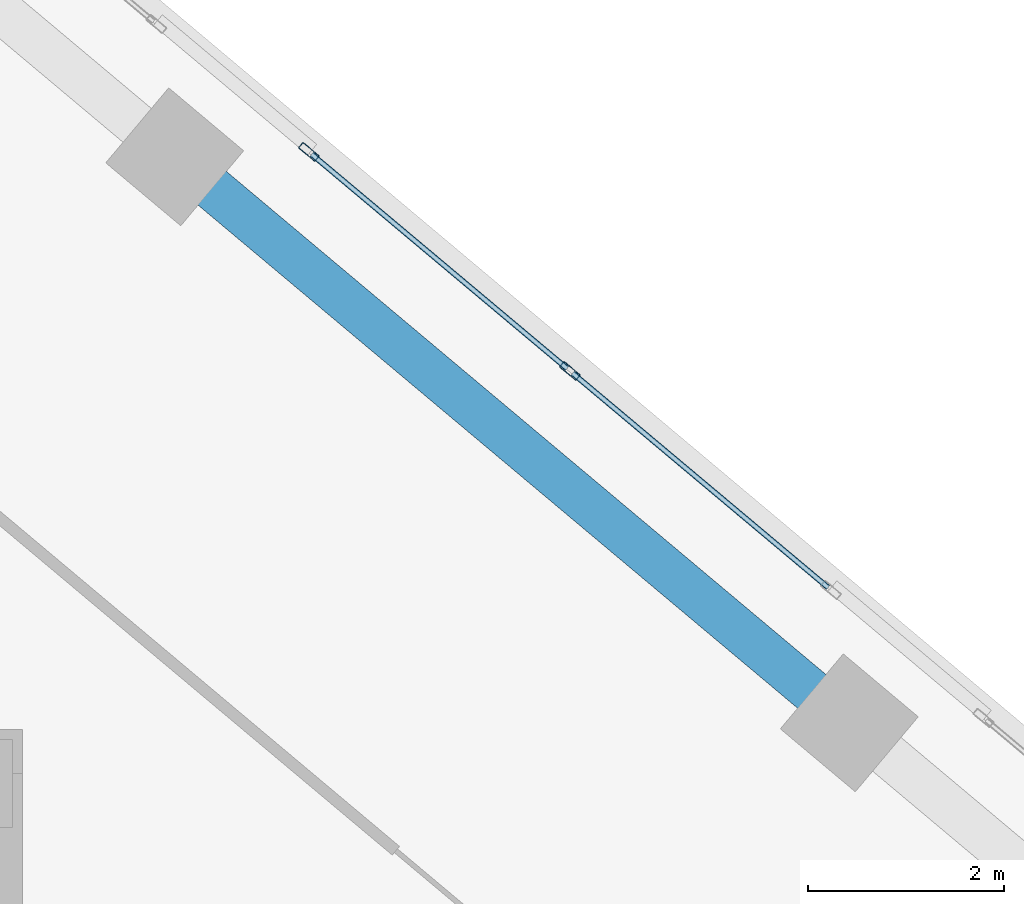
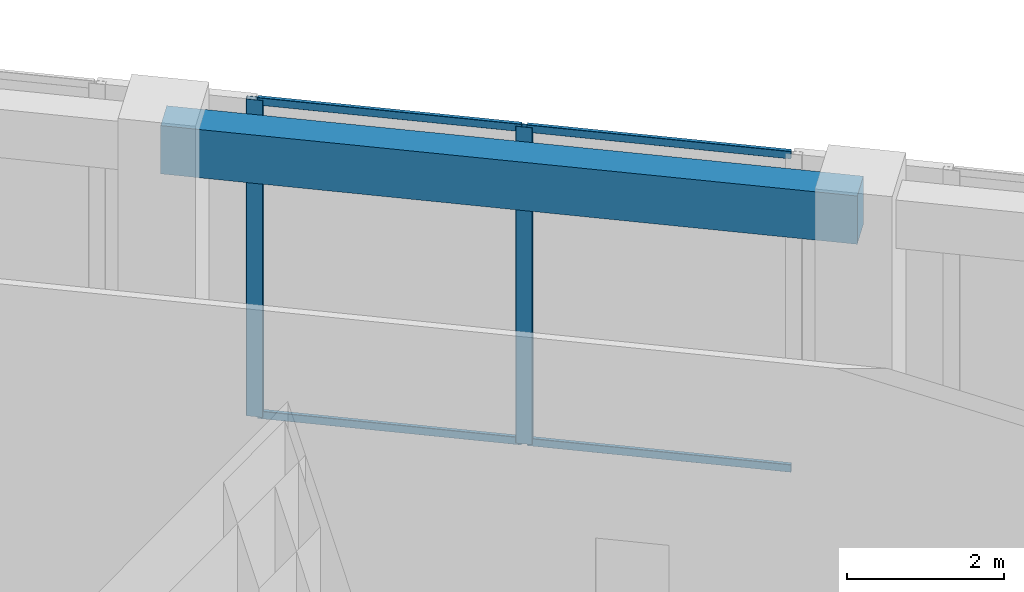
# One storey, part 10 of 17: 6 members, 1 beam, 1 element without a shape of its own.
"""IFC4 building model written with IfcOpenShell, lengths in metres."""

from ifc_helpers import new_model, si_unit, direction, frame, origin, origin_2d, place, context, subcontext, project, spatial, rectangle, hollow_rectangle, extrude, source, transform, mapped, material, material_profile, profile_set, type_object, element, aggregate, save


model = new_model("IFC4")

# Units and contexts
model_context = context("Model", 3, precision=1e-05, world=origin(), true_north=direction((0.0, 1.0)))
body_context = subcontext(model_context, "Body", "Model", "MODEL_VIEW")
ifc_project = project(units=[si_unit("LENGTHUNIT", "METRE"), si_unit("AREAUNIT", "SQUARE_METRE"), si_unit("VOLUMEUNIT", "CUBIC_METRE"), si_unit("PLANEANGLEUNIT", "RADIAN"), si_unit("MASSUNIT", "GRAM", prefix="KILO")], contexts=[model_context])

# Site, building, storey
site_placement = place(None, origin())
site = spatial("IfcSite", under=ifc_project, at=site_placement, CompositionType="ELEMENT")
building_placement = place(site_placement, origin())
building = spatial("IfcBuilding", under=site, at=building_placement, Name="Torre Montelarca", CompositionType="ELEMENT")
storey_placement = place(building_placement, frame((0.0, 0.0, 215.199951171875)))
storey = spatial("IfcBuildingStorey", under=building, at=storey_placement, Name="L48", CompositionType="ELEMENT", Elevation=215.199951171875)

# Beam
ifc_material_1 = material(Name="Concrete C55/67", Category="concrete")
ifc_material_profile_1 = material_profile(ifc_material_1, rectangle(XDim=0.449951171875, YDim=0.75, at=origin_2d()), Name="RCB450X750", Category="concrete")
ifc_profile_set_1 = profile_set([ifc_material_profile_1], Name="Concrete C55/67")
beam_type = type_object("IfcBeamType", Name="BM-SP-RC750-EXT", PredefinedType="SPANDREL", material=ifc_profile_set_1)
shared_shape_1 = source(origin(), body_context, "Body", "SweptSolid", [
    extrude(rectangle(XDim=0.449951171875, YDim=0.75, at=origin_2d()), origin(), (0.0, 0.0, 1.0), 8.999755859375),
])
beam_placement = place(storey_placement, frame((28.55712890625, 45.855224609375, 4.78515625), z_axis=(0.766048911017, -0.642782285015, 0.0), x_axis=(0.642782285015, 0.766048911017, 0.0)))
element("IfcBeam", 1, at=beam_placement, inside=storey, type_object=beam_type, Name="L48 Grid Girder X 18.0-27.0 at Y=47.1", PredefinedType="SPANDREL", context=body_context, shape_type="MappedRepresentation", body=[
    mapped(shared_shape_1, transform((0.0, 0.0, 0.0), scale=1.0)),
])

# Curtain wall, members
ifc_material_2 = material(Name="Insulated low-E laminated glass", Category="glass")
curtain_wall_type = type_object("IfcCurtainWallType", Name="CW-SYS-Z3", PredefinedType="USERDEFINED", material=ifc_material_2)
curtain_wall_placement = place(storey_placement, origin())
curtain_wall = element("IfcCurtainWall", 2, at=curtain_wall_placement, inside=storey, type_object=curtain_wall_type, Name="L48 Curtain Wall Run CW-T3-L48-E08-B2", ObjectType="UNITISED GLAZING", PredefinedType="USERDEFINED")
ifc_material_3 = material(Name="Anodised aluminium AA 6063-T6", Category="aluminium")
ifc_material_profile_2 = material_profile(ifc_material_3, hollow_rectangle(XDim=0.074951171875, YDim=0.219970703125, WallThickness=0.0048828125, InnerFilletRadius=0.0048828125, OuterFilletRadius=0.010009765625, at=origin_2d()), Name="ALU75X220X5", Category="aluminium")
ifc_profile_set_2 = profile_set([ifc_material_profile_2], Name="Anodised aluminium AA 6063-T6")
member_type_1 = type_object("IfcMemberType", Name="CWM-ALU220", PredefinedType="MULLION", material=ifc_profile_set_2)
shared_shape_2 = source(origin(), body_context, "Body", "SweptSolid", [
    extrude(hollow_rectangle(XDim=0.074951171875, YDim=0.219970703125, WallThickness=0.0048828125, InnerFilletRadius=0.0048828125, OuterFilletRadius=0.010009765625, at=origin_2d()), origin(), (0.0, 0.0, 1.0), 4.920166015625),
])
member_1_placement = place(storey_placement, frame((32.595703125, 43.66748046875, 0.0), z_axis=(0.0, 0.0, 1.0), x_axis=(-0.642789243392, -0.766043072274, 0.0)))
member_1 = element("IfcMember", 3, at=member_1_placement, type_object=member_type_1, Name="CW mullion 2", PredefinedType="MULLION", context=body_context, shape_type="MappedRepresentation", body=[
    mapped(shared_shape_2, transform((0.0, 0.0, 0.0), scale=1.0)),
])
member_2_placement = place(storey_placement, frame((29.927978515625, 45.906005859375, 0.0), z_axis=(0.0, 0.0, 1.0), x_axis=(-0.642789243392, -0.766043072274, 0.0)))
member_2 = element("IfcMember", 4, at=member_2_placement, type_object=member_type_1, Name="CW mullion 3", PredefinedType="MULLION", context=body_context, shape_type="MappedRepresentation", body=[
    mapped(shared_shape_2, transform((0.0, 0.0, 0.0), scale=1.0)),
])
ifc_material_profile_3 = material_profile(ifc_material_3, hollow_rectangle(XDim=0.054931640625, YDim=0.1201171875, WallThickness=0.00341796875, InnerFilletRadius=0.00341796875, OuterFilletRadius=0.007080078125, at=origin_2d()), Name="ALU55X120X3.5", Category="aluminium")
ifc_profile_set_3 = profile_set([ifc_material_profile_3], Name="Anodised aluminium AA 6063-T6")
member_type_2 = type_object("IfcMemberType", Name="CWT-ALU120", PredefinedType="USERDEFINED", material=ifc_profile_set_3)
shared_shape_3 = source(origin(), body_context, "Body", "SweptSolid", [
    extrude(hollow_rectangle(XDim=0.054931640625, YDim=0.1201171875, WallThickness=0.00341796875, InnerFilletRadius=0.00341796875, OuterFilletRadius=0.007080078125, at=origin_2d()), origin(), (0.0, 0.0, 1.0), 3.407470703125),
])
member_3_placement = place(storey_placement, frame((35.234619140625, 41.453125, 0.027587890625), z_axis=(-0.766067489569, 0.642760142997, 0.0), x_axis=(-0.642760142997, -0.766067489569, 0.0)))
member_3 = element("IfcMember", 5, at=member_3_placement, type_object=member_type_2, Name="CW transom 1.1", ObjectType="TRANSOM", PredefinedType="USERDEFINED", context=body_context, shape_type="MappedRepresentation", body=[
    mapped(shared_shape_3, transform((0.0, 0.0, 0.0), scale=1.0)),
])
member_4_placement = place(storey_placement, frame((35.234619140625, 41.453125, 4.892578125), z_axis=(-0.766067489569, 0.642760142997, 0.0), x_axis=(-0.642760142997, -0.766067489569, 0.0)))
member_4 = element("IfcMember", 6, at=member_4_placement, type_object=member_type_2, Name="CW transom 1.2", ObjectType="TRANSOM", PredefinedType="USERDEFINED", context=body_context, shape_type="MappedRepresentation", body=[
    mapped(shared_shape_3, transform((0.0, 0.0, 0.0), scale=1.0)),
])
member_5_placement = place(storey_placement, frame((32.56689453125, 43.691650390625, 0.027587890625), z_axis=(-0.766067489569, 0.642760142997, 0.0), x_axis=(-0.642760142997, -0.766067489569, 0.0)))
member_5 = element("IfcMember", 7, at=member_5_placement, type_object=member_type_2, Name="CW transom 2.1", ObjectType="TRANSOM", PredefinedType="USERDEFINED", context=body_context, shape_type="MappedRepresentation", body=[
    mapped(shared_shape_3, transform((0.0, 0.0, 0.0), scale=1.0)),
])
member_6_placement = place(storey_placement, frame((32.56689453125, 43.691650390625, 4.892578125), z_axis=(-0.766067489569, 0.642760142997, 0.0), x_axis=(-0.642760142997, -0.766067489569, 0.0)))
member_6 = element("IfcMember", 8, at=member_6_placement, type_object=member_type_2, Name="CW transom 2.2", ObjectType="TRANSOM", PredefinedType="USERDEFINED", context=body_context, shape_type="MappedRepresentation", body=[
    mapped(shared_shape_3, transform((0.0, 0.0, 0.0), scale=1.0)),
])
aggregate(curtain_wall, [member_1, member_2, member_3, member_4, member_5, member_6])

save(model, "model.ifc")
